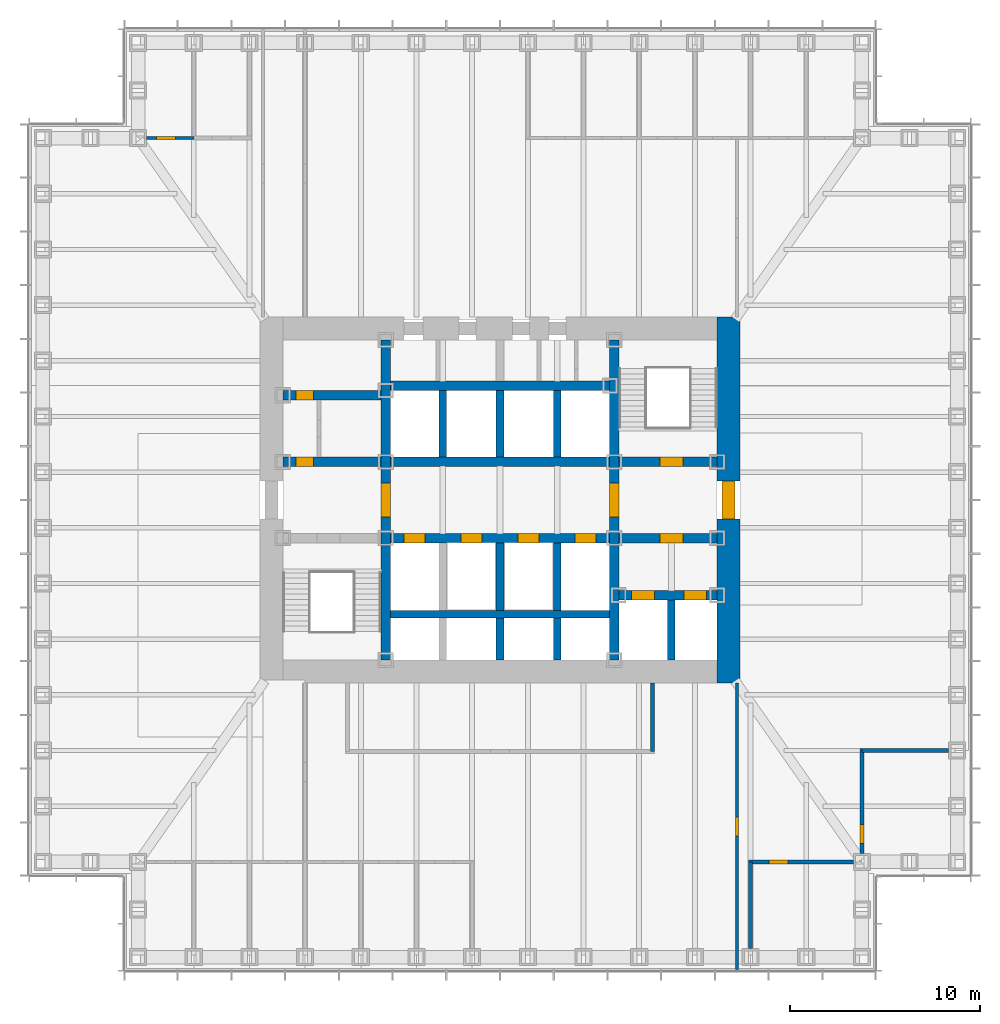
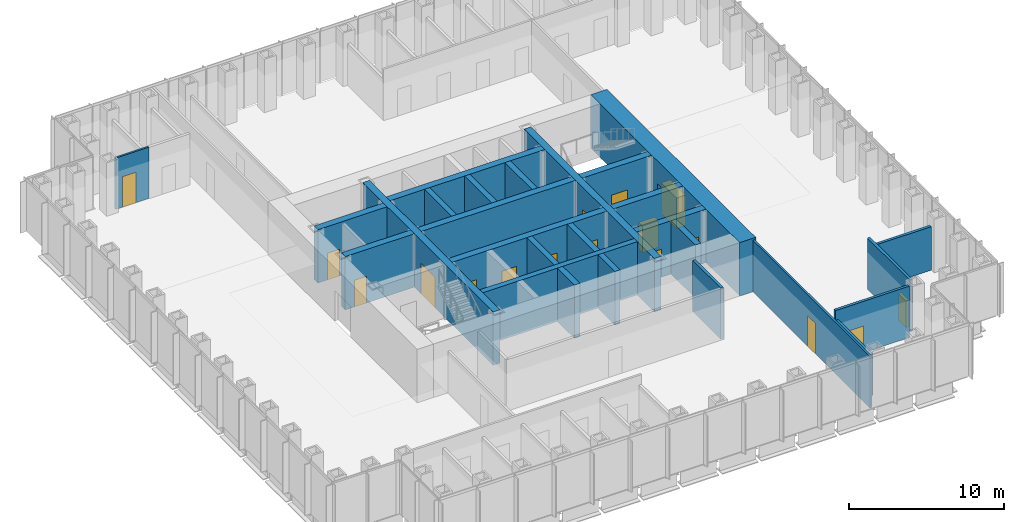
# One storey, part 9 of 16: 27 walls, 17 doors, 17 openings.
"""IFC4 building model written with IfcOpenShell, lengths in metres."""

from ifc_helpers import new_model, si_unit, direction, frame, frame_2d, origin, place, context, subcontext, project, spatial, rectangle, extrude, material, layer, layer_set, type_object, element, fill, save


model = new_model("IFC4")

# Units and contexts
model_context = context("Model", 3, precision=1e-05, world=origin(), true_north=direction((0.0, 1.0)))
body_context = subcontext(model_context, "Body", "Model", "MODEL_VIEW")
ifc_project = project(units=[si_unit("LENGTHUNIT", "METRE"), si_unit("AREAUNIT", "SQUARE_METRE"), si_unit("VOLUMEUNIT", "CUBIC_METRE"), si_unit("PLANEANGLEUNIT", "RADIAN"), si_unit("MASSUNIT", "GRAM", prefix="KILO")], contexts=[model_context])

# Site, building, storey
site_placement = place(None, origin())
site = spatial("IfcSite", under=ifc_project, at=site_placement, CompositionType="ELEMENT")
building_placement = place(site_placement, origin())
building = spatial("IfcBuilding", under=site, at=building_placement, Name="Daluyong Arena Tower", CompositionType="ELEMENT")
storey_placement = place(building_placement, frame((0.0, 0.0, 93.699951171875)))
storey = spatial("IfcBuildingStorey", under=building, at=storey_placement, Name="L20", CompositionType="ELEMENT", Elevation=93.699951171875)

# Wall, opening, door
ifc_material_1 = material(Name="Concrete fc' 45 MPa", Category="concrete")
ifc_layer_1 = layer(ifc_material_1, 0.5)
ifc_layer_set_1 = layer_set([ifc_layer_1], Name="Concrete fc' 45 MPa")
wall_type_1 = type_object("IfcWallType", Name="Core inner wall 500", PredefinedType="SHEAR", material=ifc_layer_set_1)
wall_1_placement = place(storey_placement, frame((50.0, 71.60009765625, 0.0), z_axis=(0.0, 0.0, 1.0), x_axis=(0.0, 1.0, 0.0)))
wall_1 = element("IfcWall", 1, at=wall_1_placement, inside=storey, type_object=wall_type_1, Name="core inner wall at L20", PredefinedType="SHEAR", context=body_context, shape_type="SweptSolid", body=[
    extrude(rectangle(XDim=16.7998046875, YDim=0.5, at=frame_2d((8.39990234375, 0.0))), origin(), (0.0, 0.0, 1.0), 4.199951171875),
])
opening_1_placement = place(wall_1_placement, frame((7.5, 0.0, 0.0)))
opening_1 = element("IfcOpeningElement", 2, at=opening_1_placement, cuts=wall_1, Name="Opening 20013", PredefinedType="OPENING", context=body_context, shape_type="SweptSolid", body=[
    extrude(rectangle(XDim=1.800048828125, YDim=2.39990234375, at=frame_2d((0.89990234375, 1.199951171875))), frame((0.0, 0.260009765625, 0.0), z_axis=(0.0, -1.0, 0.0), x_axis=(1.0, 0.0, 0.0)), (0.0, 0.0, 1.0), 0.52001953125),
])
ifc_material_2 = material(Name="Steel door, fire rated", Category="steel")
door_type_1 = type_object("IfcDoorType", Name="Lift lobby opening door 1800", OperationType="DOUBLE_DOOR_SINGLE_SWING", PredefinedType="DOOR", material=ifc_material_2)
door_1_placement = place(opening_1_placement, origin())
door_1 = element("IfcDoor", 3, at=door_1_placement, inside=storey, type_object=door_type_1, Name="lift lobby door west 20013", OperationType="DOUBLE_DOOR_SINGLE_SWING", OverallHeight=2.39990234375, OverallWidth=1.800048828125, PredefinedType="DOOR", context=body_context, shape_type="SweptSolid", body=[
    extrude(rectangle(XDim=1.800048828125, YDim=2.39990234375, at=frame_2d((0.89990234375, 1.199951171875))), frame((0.0, 0.249755859375, 0.0), z_axis=(0.0, -1.0, 0.0), x_axis=(1.0, 0.0, 0.0)), (0.0, 0.0, 1.0), 0.49951171875),
])
fill(opening_1, door_1)

wall_2_placement = place(storey_placement, frame((62.0, 71.60009765625, 0.0), z_axis=(0.0, 0.0, 1.0), x_axis=(0.0, 1.0, 0.0)))
wall_2 = element("IfcWall", 4, at=wall_2_placement, inside=storey, type_object=wall_type_1, Name="core inner wall at L20", PredefinedType="SHEAR", context=body_context, shape_type="SweptSolid", body=[
    extrude(rectangle(XDim=16.7998046875, YDim=0.5, at=frame_2d((8.39990234375, 0.0))), origin(), (0.0, 0.0, 1.0), 4.199951171875),
])
opening_2_placement = place(wall_2_placement, frame((7.5, 0.0, 0.0)))
opening_2 = element("IfcOpeningElement", 5, at=opening_2_placement, cuts=wall_2, Name="Opening 20014", PredefinedType="OPENING", context=body_context, shape_type="SweptSolid", body=[
    extrude(rectangle(XDim=1.800048828125, YDim=2.39990234375, at=frame_2d((0.89990234375, 1.199951171875))), frame((0.0, 0.260009765625, 0.0), z_axis=(0.0, -1.0, 0.0), x_axis=(1.0, 0.0, 0.0)), (0.0, 0.0, 1.0), 0.52001953125),
])
door_2_placement = place(opening_2_placement, origin())
door_2 = element("IfcDoor", 6, at=door_2_placement, inside=storey, type_object=door_type_1, Name="lift lobby door east 20014", OperationType="DOUBLE_DOOR_SINGLE_SWING", OverallHeight=2.39990234375, OverallWidth=1.800048828125, PredefinedType="DOOR", context=body_context, shape_type="SweptSolid", body=[
    extrude(rectangle(XDim=1.800048828125, YDim=2.39990234375, at=frame_2d((0.89990234375, 1.199951171875))), frame((0.0, 0.249755859375, 0.0), z_axis=(0.0, -1.0, 0.0), x_axis=(1.0, 0.0, 0.0)), (0.0, 0.0, 1.0), 0.49951171875),
])
fill(opening_2, door_2)

wall_3_placement = place(storey_placement, frame((44.60009765625, 82.0, 0.0), z_axis=(0.0, 0.0, 1.0), x_axis=(1.0, 0.0, 0.0)))
wall_3 = element("IfcWall", 7, at=wall_3_placement, inside=storey, type_object=wall_type_1, Name="core inner wall at L20", PredefinedType="SHEAR", context=body_context, shape_type="SweptSolid", body=[
    extrude(rectangle(XDim=5.14990234375, YDim=0.5, at=frame_2d((2.574951171875, 0.0))), origin(), (0.0, 0.0, 1.0), 4.199951171875),
])
opening_3_placement = place(wall_3_placement, frame((0.699951171875, 0.0, 0.0)))
opening_3 = element("IfcOpeningElement", 8, at=opening_3_placement, cuts=wall_3, Name="Opening 20001", PredefinedType="OPENING", context=body_context, shape_type="SweptSolid", body=[
    extrude(rectangle(XDim=0.89990234375, YDim=2.10009765625, at=frame_2d((0.449951171875, 1.050048828125))), frame((0.0, 0.260009765625, 0.0), z_axis=(0.0, -1.0, 0.0), x_axis=(1.0, 0.0, 0.0)), (0.0, 0.0, 1.0), 0.52001953125),
])
ifc_material_3 = material(Name="Steel door, fire rated", Category="steel")
door_type_2 = type_object("IfcDoorType", Name="Core room door 900", OperationType="SINGLE_SWING_LEFT", PredefinedType="DOOR", material=ifc_material_3)
door_3_placement = place(opening_3_placement, origin())
door_3 = element("IfcDoor", 9, at=door_3_placement, inside=storey, type_object=door_type_2, Name="toilet lobby door 20001", OperationType="SINGLE_SWING_LEFT", OverallHeight=2.10009765625, OverallWidth=0.89990234375, PredefinedType="DOOR", context=body_context, shape_type="SweptSolid", body=[
    extrude(rectangle(XDim=0.89990234375, YDim=2.10009765625, at=frame_2d((0.449951171875, 1.050048828125))), frame((0.0, 0.249755859375, 0.0), z_axis=(0.0, -1.0, 0.0), x_axis=(1.0, 0.0, 0.0)), (0.0, 0.0, 1.0), 0.49951171875),
])
fill(opening_3, door_3)

wall_4_placement = place(storey_placement, frame((44.60009765625, 85.5, 0.0), z_axis=(0.0, 0.0, 1.0), x_axis=(1.0, 0.0, 0.0)))
wall_4 = element("IfcWall", 10, at=wall_4_placement, inside=storey, type_object=wall_type_1, Name="core inner wall at L20", PredefinedType="SHEAR", context=body_context, shape_type="SweptSolid", body=[
    extrude(rectangle(XDim=5.14990234375, YDim=0.5, at=frame_2d((2.574951171875, 0.0))), origin(), (0.0, 0.0, 1.0), 4.199951171875),
])
opening_4_placement = place(wall_4_placement, frame((0.699951171875, 0.0, 0.0)))
opening_4 = element("IfcOpeningElement", 11, at=opening_4_placement, cuts=wall_4, Name="Opening 20003", PredefinedType="OPENING", context=body_context, shape_type="SweptSolid", body=[
    extrude(rectangle(XDim=0.89990234375, YDim=2.10009765625, at=frame_2d((0.449951171875, 1.050048828125))), frame((0.0, 0.260009765625, 0.0), z_axis=(0.0, -1.0, 0.0), x_axis=(1.0, 0.0, 0.0)), (0.0, 0.0, 1.0), 0.52001953125),
])
ifc_material_4 = material(Name="Timber door", Category="wood")
door_type_3 = type_object("IfcDoorType", Name="Toilet door 900", OperationType="SINGLE_SWING_RIGHT", PredefinedType="DOOR", material=ifc_material_4)
door_4_placement = place(opening_4_placement, origin())
door_4 = element("IfcDoor", 12, at=door_4_placement, inside=storey, type_object=door_type_3, Name="female toilet door 20003", OperationType="SINGLE_SWING_RIGHT", OverallHeight=2.10009765625, OverallWidth=0.89990234375, PredefinedType="DOOR", context=body_context, shape_type="SweptSolid", body=[
    extrude(rectangle(XDim=0.89990234375, YDim=2.10009765625, at=frame_2d((0.449951171875, 1.050048828125))), frame((0.0, 0.249755859375, 0.0), z_axis=(0.0, -1.0, 0.0), x_axis=(1.0, 0.0, 0.0)), (0.0, 0.0, 1.0), 0.49951171875),
])
fill(opening_4, door_4)

# Wall, openings, doors
wall_5_placement = place(storey_placement, frame((62.25, 75.0, 0.0), z_axis=(0.0, 0.0, 1.0), x_axis=(1.0, 0.0, 0.0)))
wall_5 = element("IfcWall", 13, at=wall_5_placement, inside=storey, type_object=wall_type_1, Name="core inner wall at L20", PredefinedType="SHEAR", context=body_context, shape_type="SweptSolid", body=[
    extrude(rectangle(XDim=5.14990234375, YDim=0.5, at=frame_2d((2.574951171875, 0.0))), origin(), (0.0, 0.0, 1.0), 4.199951171875),
])
opening_5_placement = place(wall_5_placement, frame((0.64990234375, 0.0, 0.0)))
opening_5 = element("IfcOpeningElement", 14, at=opening_5_placement, cuts=wall_5, Name="Opening 20020", PredefinedType="OPENING", context=body_context, shape_type="SweptSolid", body=[
    extrude(rectangle(XDim=1.199951171875, YDim=2.199951171875, at=frame_2d((0.60009765625, 1.10009765625))), frame((0.0, 0.260009765625, 0.0), z_axis=(0.0, -1.0, 0.0), x_axis=(1.0, 0.0, 0.0)), (0.0, 0.0, 1.0), 0.52001953125),
])
opening_6_placement = place(wall_5_placement, frame((3.39990234375, 0.0, 0.0)))
opening_6 = element("IfcOpeningElement", 15, at=opening_6_placement, cuts=wall_5, Name="Opening 20021", PredefinedType="OPENING", context=body_context, shape_type="SweptSolid", body=[
    extrude(rectangle(XDim=1.199951171875, YDim=2.199951171875, at=frame_2d((0.60009765625, 1.10009765625))), frame((0.0, 0.260009765625, 0.0), z_axis=(0.0, -1.0, 0.0), x_axis=(1.0, 0.0, 0.0)), (0.0, 0.0, 1.0), 0.52001953125),
])
ifc_material_5 = material(Name="Steel door, fire rated", Category="steel")
door_type_4 = type_object("IfcDoorType", Name="Firefighting lift landing door 1200", OperationType="SLIDING_TO_LEFT", PredefinedType="DOOR", material=ifc_material_5)
door_5_placement = place(opening_5_placement, origin())
door_5 = element("IfcDoor", 16, at=door_5_placement, inside=storey, type_object=door_type_4, Name="firefighting lift landing door F1 20020", OperationType="SLIDING_TO_LEFT", OverallHeight=2.199951171875, OverallWidth=1.199951171875, PredefinedType="DOOR", context=body_context, shape_type="SweptSolid", body=[
    extrude(rectangle(XDim=1.199951171875, YDim=2.199951171875, at=frame_2d((0.60009765625, 1.10009765625))), frame((0.0, 0.249755859375, 0.0), z_axis=(0.0, -1.0, 0.0), x_axis=(1.0, 0.0, 0.0)), (0.0, 0.0, 1.0), 0.49951171875),
])
fill(opening_5, door_5)
door_6_placement = place(opening_6_placement, origin())
door_6 = element("IfcDoor", 17, at=door_6_placement, inside=storey, type_object=door_type_4, Name="firefighting lift landing door F2 20021", OperationType="SLIDING_TO_LEFT", OverallHeight=2.199951171875, OverallWidth=1.199951171875, PredefinedType="DOOR", context=body_context, shape_type="SweptSolid", body=[
    extrude(rectangle(XDim=1.199951171875, YDim=2.199951171875, at=frame_2d((0.60009765625, 1.10009765625))), frame((0.0, 0.249755859375, 0.0), z_axis=(0.0, -1.0, 0.0), x_axis=(1.0, 0.0, 0.0)), (0.0, 0.0, 1.0), 0.49951171875),
])
fill(opening_6, door_6)

# Wall, opening, door
wall_6_placement = place(storey_placement, frame((62.25, 78.0, 0.0), z_axis=(0.0, 0.0, 1.0), x_axis=(1.0, 0.0, 0.0)))
wall_6 = element("IfcWall", 18, at=wall_6_placement, inside=storey, type_object=wall_type_1, Name="core inner wall at L20", PredefinedType="SHEAR", context=body_context, shape_type="SweptSolid", body=[
    extrude(rectangle(XDim=5.14990234375, YDim=0.5, at=frame_2d((2.574951171875, 0.0))), origin(), (0.0, 0.0, 1.0), 4.199951171875),
])
opening_7_placement = place(wall_6_placement, frame((2.14990234375, 0.0, 0.0)))
opening_7 = element("IfcOpeningElement", 19, at=opening_7_placement, cuts=wall_6, Name="Opening 20015", PredefinedType="OPENING", context=body_context, shape_type="SweptSolid", body=[
    extrude(rectangle(XDim=1.199951171875, YDim=2.10009765625, at=frame_2d((0.60009765625, 1.050048828125))), frame((0.0, 0.260009765625, 0.0), z_axis=(0.0, -1.0, 0.0), x_axis=(1.0, 0.0, 0.0)), (0.0, 0.0, 1.0), 0.52001953125),
])
ifc_material_6 = material(Name="Steel door, fire rated", Category="steel")
door_type_5 = type_object("IfcDoorType", Name="Firefighting lobby door 1200", OperationType="SINGLE_SWING_RIGHT", PredefinedType="DOOR", material=ifc_material_6)
door_7_placement = place(opening_7_placement, origin())
door_7 = element("IfcDoor", 20, at=door_7_placement, inside=storey, type_object=door_type_5, Name="firefighting lobby door 20015", OperationType="SINGLE_SWING_RIGHT", OverallHeight=2.10009765625, OverallWidth=1.199951171875, PredefinedType="DOOR", context=body_context, shape_type="SweptSolid", body=[
    extrude(rectangle(XDim=1.199951171875, YDim=2.10009765625, at=frame_2d((0.60009765625, 1.050048828125))), frame((0.0, 0.249755859375, 0.0), z_axis=(0.0, -1.0, 0.0), x_axis=(1.0, 0.0, 0.0)), (0.0, 0.0, 1.0), 0.49951171875),
])
fill(opening_7, door_7)

wall_7_placement = place(storey_placement, frame((62.25, 82.0, 0.0), z_axis=(0.0, 0.0, 1.0), x_axis=(1.0, 0.0, 0.0)))
wall_7 = element("IfcWall", 21, at=wall_7_placement, inside=storey, type_object=wall_type_1, Name="core inner wall at L20", PredefinedType="SHEAR", context=body_context, shape_type="SweptSolid", body=[
    extrude(rectangle(XDim=5.14990234375, YDim=0.5, at=frame_2d((2.574951171875, 0.0))), origin(), (0.0, 0.0, 1.0), 4.199951171875),
])
opening_8_placement = place(wall_7_placement, frame((2.14990234375, 0.0, 0.0)))
opening_8 = element("IfcOpeningElement", 22, at=opening_8_placement, cuts=wall_7, Name="Opening 20010", PredefinedType="OPENING", context=body_context, shape_type="SweptSolid", body=[
    extrude(rectangle(XDim=1.199951171875, YDim=2.10009765625, at=frame_2d((0.60009765625, 1.050048828125))), frame((0.0, 0.260009765625, 0.0), z_axis=(0.0, -1.0, 0.0), x_axis=(1.0, 0.0, 0.0)), (0.0, 0.0, 1.0), 0.52001953125),
])
ifc_material_7 = material(Name="Steel door, fire rated", Category="steel")
door_type_6 = type_object("IfcDoorType", Name="Stair door 1200", OperationType="SINGLE_SWING_LEFT", PredefinedType="DOOR", material=ifc_material_7)
door_8_placement = place(opening_8_placement, origin())
door_8 = element("IfcDoor", 23, at=door_8_placement, inside=storey, type_object=door_type_6, Name="stair B door 20010", OperationType="SINGLE_SWING_LEFT", OverallHeight=2.10009765625, OverallWidth=1.199951171875, PredefinedType="DOOR", context=body_context, shape_type="SweptSolid", body=[
    extrude(rectangle(XDim=1.199951171875, YDim=2.10009765625, at=frame_2d((0.60009765625, 1.050048828125))), frame((0.0, 0.249755859375, 0.0), z_axis=(0.0, -1.0, 0.0), x_axis=(1.0, 0.0, 0.0)), (0.0, 0.0, 1.0), 0.49951171875),
])
fill(opening_8, door_8)

# Wall, openings, doors
wall_8_placement = place(storey_placement, frame((50.25, 78.0, 0.0), z_axis=(0.0, 0.0, 1.0), x_axis=(1.0, 0.0, 0.0)))
wall_8 = element("IfcWall", 24, at=wall_8_placement, inside=storey, type_object=wall_type_1, Name="core inner wall at L20", PredefinedType="SHEAR", context=body_context, shape_type="SweptSolid", body=[
    extrude(rectangle(XDim=11.5, YDim=0.5, at=frame_2d((5.75, 0.0))), origin(), (0.0, 0.0, 1.0), 4.199951171875),
])
opening_9_placement = place(wall_8_placement, frame((0.699951171875, 0.0, 0.0)))
opening_9 = element("IfcOpeningElement", 25, at=opening_9_placement, cuts=wall_8, Name="Opening 20016", PredefinedType="OPENING", context=body_context, shape_type="SweptSolid", body=[
    extrude(rectangle(XDim=1.10009765625, YDim=2.199951171875, at=frame_2d((0.550048828125, 1.10009765625))), frame((0.0, 0.260009765625, 0.0), z_axis=(0.0, -1.0, 0.0), x_axis=(1.0, 0.0, 0.0)), (0.0, 0.0, 1.0), 0.52001953125),
])
opening_10_placement = place(wall_8_placement, frame((3.699951171875, 0.0, 0.0)))
opening_10 = element("IfcOpeningElement", 26, at=opening_10_placement, cuts=wall_8, Name="Opening 20017", PredefinedType="OPENING", context=body_context, shape_type="SweptSolid", body=[
    extrude(rectangle(XDim=1.10009765625, YDim=2.199951171875, at=frame_2d((0.550048828125, 1.10009765625))), frame((0.0, 0.260009765625, 0.0), z_axis=(0.0, -1.0, 0.0), x_axis=(1.0, 0.0, 0.0)), (0.0, 0.0, 1.0), 0.52001953125),
])
opening_11_placement = place(wall_8_placement, frame((6.699951171875, 0.0, 0.0)))
opening_11 = element("IfcOpeningElement", 27, at=opening_11_placement, cuts=wall_8, Name="Opening 20018", PredefinedType="OPENING", context=body_context, shape_type="SweptSolid", body=[
    extrude(rectangle(XDim=1.10009765625, YDim=2.199951171875, at=frame_2d((0.550048828125, 1.10009765625))), frame((0.0, 0.260009765625, 0.0), z_axis=(0.0, -1.0, 0.0), x_axis=(1.0, 0.0, 0.0)), (0.0, 0.0, 1.0), 0.52001953125),
])
opening_12_placement = place(wall_8_placement, frame((9.699951171875, 0.0, 0.0)))
opening_12 = element("IfcOpeningElement", 28, at=opening_12_placement, cuts=wall_8, Name="Opening 20019", PredefinedType="OPENING", context=body_context, shape_type="SweptSolid", body=[
    extrude(rectangle(XDim=1.10009765625, YDim=2.199951171875, at=frame_2d((0.550048828125, 1.10009765625))), frame((0.0, 0.260009765625, 0.0), z_axis=(0.0, -1.0, 0.0), x_axis=(1.0, 0.0, 0.0)), (0.0, 0.0, 1.0), 0.52001953125),
])
ifc_material_8 = material(Name="Steel door, fire rated", Category="steel")
door_type_7 = type_object("IfcDoorType", Name="Lift landing door 1100", OperationType="SLIDING_TO_LEFT", PredefinedType="DOOR", material=ifc_material_8)
door_9_placement = place(opening_9_placement, origin())
door_9 = element("IfcDoor", 29, at=door_9_placement, inside=storey, type_object=door_type_7, Name="lift landing door A1 20016", OperationType="SLIDING_TO_LEFT", OverallHeight=2.199951171875, OverallWidth=1.10009765625, PredefinedType="DOOR", context=body_context, shape_type="SweptSolid", body=[
    extrude(rectangle(XDim=1.10009765625, YDim=2.199951171875, at=frame_2d((0.550048828125, 1.10009765625))), frame((0.0, 0.249755859375, 0.0), z_axis=(0.0, -1.0, 0.0), x_axis=(1.0, 0.0, 0.0)), (0.0, 0.0, 1.0), 0.49951171875),
])
fill(opening_9, door_9)
door_10_placement = place(opening_10_placement, origin())
door_10 = element("IfcDoor", 30, at=door_10_placement, inside=storey, type_object=door_type_7, Name="lift landing door A2 20017", OperationType="SLIDING_TO_LEFT", OverallHeight=2.199951171875, OverallWidth=1.10009765625, PredefinedType="DOOR", context=body_context, shape_type="SweptSolid", body=[
    extrude(rectangle(XDim=1.10009765625, YDim=2.199951171875, at=frame_2d((0.550048828125, 1.10009765625))), frame((0.0, 0.249755859375, 0.0), z_axis=(0.0, -1.0, 0.0), x_axis=(1.0, 0.0, 0.0)), (0.0, 0.0, 1.0), 0.49951171875),
])
fill(opening_10, door_10)
door_11_placement = place(opening_11_placement, origin())
door_11 = element("IfcDoor", 31, at=door_11_placement, inside=storey, type_object=door_type_7, Name="lift landing door A3 20018", OperationType="SLIDING_TO_LEFT", OverallHeight=2.199951171875, OverallWidth=1.10009765625, PredefinedType="DOOR", context=body_context, shape_type="SweptSolid", body=[
    extrude(rectangle(XDim=1.10009765625, YDim=2.199951171875, at=frame_2d((0.550048828125, 1.10009765625))), frame((0.0, 0.249755859375, 0.0), z_axis=(0.0, -1.0, 0.0), x_axis=(1.0, 0.0, 0.0)), (0.0, 0.0, 1.0), 0.49951171875),
])
fill(opening_11, door_11)
door_12_placement = place(opening_12_placement, origin())
door_12 = element("IfcDoor", 32, at=door_12_placement, inside=storey, type_object=door_type_7, Name="lift landing door A4 20019", OperationType="SLIDING_TO_LEFT", OverallHeight=2.199951171875, OverallWidth=1.10009765625, PredefinedType="DOOR", context=body_context, shape_type="SweptSolid", body=[
    extrude(rectangle(XDim=1.10009765625, YDim=2.199951171875, at=frame_2d((0.550048828125, 1.10009765625))), frame((0.0, 0.249755859375, 0.0), z_axis=(0.0, -1.0, 0.0), x_axis=(1.0, 0.0, 0.0)), (0.0, 0.0, 1.0), 0.49951171875),
])
fill(opening_12, door_12)

# Walls
for number, where, z_axis, x_axis, name in (
    (33, (50.25, 82.0, 0.0), (0.0, 0.0, 1.0), (1.0, 0.0, 0.0), "core inner wall at L20"),
    (34, (50.25, 86.0, 0.0), (0.0, 0.0, 1.0), (1.0, 0.0, 0.0), "core inner wall at L20"),
):
    element("IfcWall", number, at=place(storey_placement, frame(where, z_axis=z_axis, x_axis=x_axis)), inside=storey, type_object=wall_type_1, Name=name, PredefinedType="SHEAR", context=body_context, shape_type="SweptSolid", body=[
        extrude(rectangle(XDim=11.5, YDim=0.5, at=frame_2d((5.75, 0.0))), origin(), (0.0, 0.0, 1.0), 4.199951171875),
    ])

# Wall, opening, door
ifc_material_9 = material(Name="Concrete fc' 60 MPa", Category="concrete")
ifc_layer_2 = layer(ifc_material_9, 1.199951171875)
ifc_layer_set_2 = layer_set([ifc_layer_2], Name="Concrete fc' 60 MPa")
wall_type_2 = type_object("IfcWallType", Name="Core wall 1200", PredefinedType="SHEAR", material=ifc_layer_set_2)
wall_9_placement = place(storey_placement, frame((68.0, 70.39990234375, 0.0), z_axis=(0.0, 0.0, 1.0), x_axis=(0.0, 1.0, 0.0)))
wall_9 = element("IfcWall", 35, at=wall_9_placement, inside=storey, type_object=wall_type_2, Name="core wall at L20", PredefinedType="SHEAR", context=body_context, shape_type="SweptSolid", body=[
    extrude(rectangle(XDim=19.2001953125, YDim=1.199951171875, at=frame_2d((9.60009765625, 0.0))), origin(), (0.0, 0.0, 1.0), 4.199951171875),
])
opening_13_placement = place(wall_9_placement, frame((8.60009765625, 0.0, 0.0)))
opening_13 = element("IfcOpeningElement", 36, at=opening_13_placement, cuts=wall_9, Name="Opening 20012", PredefinedType="OPENING", context=body_context, shape_type="SweptSolid", body=[
    extrude(rectangle(XDim=2.0, YDim=2.39990234375, at=frame_2d((1.0, 1.199951171875))), frame((0.0, 0.60986328125, 0.0), z_axis=(0.0, -1.0, 0.0), x_axis=(1.0, 0.0, 0.0)), (0.0, 0.0, 1.0), 1.219970703125),
])
ifc_material_10 = material(Name="Steel door, fire rated", Category="steel")
door_type_8 = type_object("IfcDoorType", Name="Core lobby double door 2000", OperationType="DOUBLE_DOOR_SINGLE_SWING", PredefinedType="DOOR", material=ifc_material_10)
door_13_placement = place(opening_13_placement, origin())
door_13 = element("IfcDoor", 37, at=door_13_placement, inside=storey, type_object=door_type_8, Name="core lobby door east 20012", OperationType="DOUBLE_DOOR_SINGLE_SWING", OverallHeight=2.39990234375, OverallWidth=2.0, PredefinedType="DOOR", context=body_context, shape_type="SweptSolid", body=[
    extrude(rectangle(XDim=2.0, YDim=2.39990234375, at=frame_2d((1.0, 1.199951171875))), frame((0.0, 0.35009765625, 0.0), z_axis=(0.0, -1.0, 0.0), x_axis=(1.0, 0.0, 0.0)), (0.0, 0.0, 1.0), 0.699951171875),
])
fill(opening_13, door_13)

ifc_material_11 = material(Name="Glazed aluminium partition", Category="aluminium")
ifc_layer_3 = layer(ifc_material_11, 0.14990234375)
ifc_layer_set_3 = layer_set([ifc_layer_3], Name="Glazed aluminium partition")
wall_type_3 = type_object("IfcWallType", Name="Glazed partition 150", PredefinedType="PARTITIONING", material=ifc_layer_set_3)
wall_10_placement = place(storey_placement, frame((37.449951171875, 99.0, 0.0), z_axis=(0.0, 0.0, 1.0), x_axis=(1.0, 0.0, 0.0)))
wall_10 = element("IfcWall", 38, at=wall_10_placement, inside=storey, type_object=wall_type_3, Name="glazed partition at L20", PredefinedType="PARTITIONING", context=body_context, shape_type="SweptSolid", body=[
    extrude(rectangle(XDim=2.47314453125, YDim=0.14990234375, at=frame_2d((1.236572265625, 0.0))), origin(), (0.0, 0.0, 1.0), 4.0400390625),
])
opening_14_placement = place(wall_10_placement, frame((0.511474609375, 0.0, 0.0)))
opening_14 = element("IfcOpeningElement", 39, at=opening_14_placement, cuts=wall_10, Name="Opening 20030", PredefinedType="OPENING", context=body_context, shape_type="SweptSolid", body=[
    extrude(rectangle(XDim=1.0, YDim=2.39990234375, at=frame_2d((0.5, 1.199951171875))), frame((0.0, 0.0849609375, 0.0), z_axis=(0.0, -1.0, 0.0), x_axis=(1.0, 0.0, 0.0)), (0.0, 0.0, 1.0), 0.169921875),
])
ifc_material_12 = material(Name="Glazed aluminium door", Category="aluminium")
door_type_9 = type_object("IfcDoorType", Name="Meeting room glazed door 1000", OperationType="SINGLE_SWING_RIGHT", PredefinedType="DOOR", material=ifc_material_12)
door_14_placement = place(opening_14_placement, origin())
door_14 = element("IfcDoor", 40, at=door_14_placement, inside=storey, type_object=door_type_9, Name="meeting room door 20030", OperationType="SINGLE_SWING_RIGHT", OverallHeight=2.39990234375, OverallWidth=1.0, PredefinedType="DOOR", context=body_context, shape_type="SweptSolid", body=[
    extrude(rectangle(XDim=1.0, YDim=2.39990234375, at=frame_2d((0.5, 1.199951171875))), frame((0.0, 0.07470703125, 0.0), z_axis=(0.0, -1.0, 0.0), x_axis=(1.0, 0.0, 0.0)), (0.0, 0.0, 1.0), 0.1494140625),
])
fill(opening_14, door_14)

wall_11_placement = place(storey_placement, frame((68.449951171875, 55.31005859375, 0.0), z_axis=(0.0, 0.0, 1.0), x_axis=(0.0, 1.0, 0.0)))
wall_11 = element("IfcWall", 41, at=wall_11_placement, inside=storey, type_object=wall_type_3, Name="glazed partition at L20", PredefinedType="PARTITIONING", context=body_context, shape_type="SweptSolid", body=[
    extrude(rectangle(XDim=15.08984375, YDim=0.14990234375, at=frame_2d((7.544921875, 0.0))), origin(), (0.0, 0.0, 1.0), 4.0400390625),
])
opening_15_placement = place(wall_11_placement, frame((7.044921875, 0.0, 0.0)))
opening_15 = element("IfcOpeningElement", 42, at=opening_15_placement, cuts=wall_11, Name="Opening 20039", PredefinedType="OPENING", context=body_context, shape_type="SweptSolid", body=[
    extrude(rectangle(XDim=1.0, YDim=2.39990234375, at=frame_2d((0.5, 1.199951171875))), frame((0.0, 0.0849609375, 0.0), z_axis=(0.0, -1.0, 0.0), x_axis=(1.0, 0.0, 0.0)), (0.0, 0.0, 1.0), 0.169921875),
])
door_15_placement = place(opening_15_placement, origin())
door_15 = element("IfcDoor", 43, at=door_15_placement, inside=storey, type_object=door_type_9, Name="team area screen door 20039", OperationType="SINGLE_SWING_RIGHT", OverallHeight=2.39990234375, OverallWidth=1.0, PredefinedType="DOOR", context=body_context, shape_type="SweptSolid", body=[
    extrude(rectangle(XDim=1.0, YDim=2.39990234375, at=frame_2d((0.5, 1.199951171875))), frame((0.0, 0.07470703125, 0.0), z_axis=(0.0, -1.0, 0.0), x_axis=(1.0, 0.0, 0.0)), (0.0, 0.0, 1.0), 0.1494140625),
])
fill(opening_15, door_15)

# Walls
ifc_material_13 = material(Name="Concrete fc' 45 MPa", Category="concrete")
ifc_layer_4 = layer(ifc_material_13, 0.39990234375)
ifc_layer_set_4 = layer_set([ifc_layer_4], Name="Concrete fc' 45 MPa")
wall_type_4 = type_object("IfcWallType", Name="Lift shaft wall 400", PredefinedType="SHEAR", material=ifc_layer_set_4)
wall_12_placement = place(storey_placement, frame((50.25, 74.0, 0.0), z_axis=(0.0, 0.0, 1.0), x_axis=(1.0, 0.0, 0.0)))
element("IfcWall", 44, at=wall_12_placement, inside=storey, type_object=wall_type_4, Name="lift shaft wall at L20", PredefinedType="SHEAR", context=body_context, shape_type="SweptSolid", body=[
    extrude(rectangle(XDim=11.5, YDim=0.39990234375, at=frame_2d((5.75, 0.0))), origin(), (0.0, 0.0, 1.0), 4.199951171875),
])
wall_13_placement = place(storey_placement, frame((53.0, 82.25, 0.0), z_axis=(0.0, 0.0, 1.0), x_axis=(0.0, 1.0, 0.0)))
element("IfcWall", 45, at=wall_13_placement, inside=storey, type_object=wall_type_4, Name="lift shaft wall at L20", PredefinedType="SHEAR", context=body_context, shape_type="SweptSolid", body=[
    extrude(rectangle(XDim=3.5, YDim=0.39990234375, at=frame_2d((1.75, 0.0))), origin(), (0.0, 0.0, 1.0), 4.199951171875),
])
wall_14_placement = place(storey_placement, frame((56.0, 71.60009765625, 0.0), z_axis=(0.0, 0.0, 1.0), x_axis=(0.0, 1.0, 0.0)))
element("IfcWall", 46, at=wall_14_placement, inside=storey, type_object=wall_type_4, Name="lift shaft wall at L20", PredefinedType="SHEAR", context=body_context, shape_type="SweptSolid", body=[
    extrude(rectangle(XDim=2.199951171875, YDim=0.39990234375, at=frame_2d((1.10009765625, 0.0))), origin(), (0.0, 0.0, 1.0), 4.199951171875),
])
wall_15_placement = place(storey_placement, frame((56.0, 74.199951171875, 0.0), z_axis=(0.0, 0.0, 1.0), x_axis=(0.0, 1.0, 0.0)))
element("IfcWall", 47, at=wall_15_placement, inside=storey, type_object=wall_type_4, Name="lift shaft wall at L20", PredefinedType="SHEAR", context=body_context, shape_type="SweptSolid", body=[
    extrude(rectangle(XDim=3.550048828125, YDim=0.39990234375, at=frame_2d((1.77490234375, 0.0))), origin(), (0.0, 0.0, 1.0), 4.199951171875),
])
wall_16_placement = place(storey_placement, frame((56.0, 82.25, 0.0), z_axis=(0.0, 0.0, 1.0), x_axis=(0.0, 1.0, 0.0)))
element("IfcWall", 48, at=wall_16_placement, inside=storey, type_object=wall_type_4, Name="lift shaft wall at L20", PredefinedType="SHEAR", context=body_context, shape_type="SweptSolid", body=[
    extrude(rectangle(XDim=3.5, YDim=0.39990234375, at=frame_2d((1.75, 0.0))), origin(), (0.0, 0.0, 1.0), 4.199951171875),
])
wall_17_placement = place(storey_placement, frame((59.0, 71.60009765625, 0.0), z_axis=(0.0, 0.0, 1.0), x_axis=(0.0, 1.0, 0.0)))
element("IfcWall", 49, at=wall_17_placement, inside=storey, type_object=wall_type_4, Name="lift shaft wall at L20", PredefinedType="SHEAR", context=body_context, shape_type="SweptSolid", body=[
    extrude(rectangle(XDim=2.199951171875, YDim=0.39990234375, at=frame_2d((1.10009765625, 0.0))), origin(), (0.0, 0.0, 1.0), 4.199951171875),
])
wall_18_placement = place(storey_placement, frame((59.0, 74.199951171875, 0.0), z_axis=(0.0, 0.0, 1.0), x_axis=(0.0, 1.0, 0.0)))
element("IfcWall", 50, at=wall_18_placement, inside=storey, type_object=wall_type_4, Name="lift shaft wall at L20", PredefinedType="SHEAR", context=body_context, shape_type="SweptSolid", body=[
    extrude(rectangle(XDim=3.550048828125, YDim=0.39990234375, at=frame_2d((1.77490234375, 0.0))), origin(), (0.0, 0.0, 1.0), 4.199951171875),
])
wall_19_placement = place(storey_placement, frame((59.0, 82.25, 0.0), z_axis=(0.0, 0.0, 1.0), x_axis=(0.0, 1.0, 0.0)))
element("IfcWall", 51, at=wall_19_placement, inside=storey, type_object=wall_type_4, Name="lift shaft wall at L20", PredefinedType="SHEAR", context=body_context, shape_type="SweptSolid", body=[
    extrude(rectangle(XDim=3.5, YDim=0.39990234375, at=frame_2d((1.75, 0.0))), origin(), (0.0, 0.0, 1.0), 4.199951171875),
])
wall_20_placement = place(storey_placement, frame((65.0, 71.60009765625, 0.0), z_axis=(0.0, 0.0, 1.0), x_axis=(0.0, 1.0, 0.0)))
element("IfcWall", 52, at=wall_20_placement, inside=storey, type_object=wall_type_4, Name="lift shaft wall at L20", PredefinedType="SHEAR", context=body_context, shape_type="SweptSolid", body=[
    extrude(rectangle(XDim=3.14990234375, YDim=0.39990234375, at=frame_2d((1.574951171875, 0.0))), origin(), (0.0, 0.0, 1.0), 4.199951171875),
])
ifc_material_14 = material(Name="Concrete block partition", Category="concrete")
ifc_layer_5 = layer(ifc_material_14, 0.199951171875)
ifc_layer_set_5 = layer_set([ifc_layer_5], Name="Concrete block partition")
wall_type_5 = type_object("IfcWallType", Name="Partition 200", PredefinedType="PARTITIONING", material=ifc_layer_set_5)
wall_21_placement = place(storey_placement, frame((69.15380859375, 56.449951171875, 0.0), z_axis=(0.0, 0.0, 1.0), x_axis=(0.0, 1.0, 0.0)))
element("IfcWall", 53, at=wall_21_placement, inside=storey, type_object=wall_type_5, Name="partition at L20", PredefinedType="PARTITIONING", context=body_context, shape_type="SweptSolid", body=[
    extrude(rectangle(XDim=4.550048828125, YDim=0.199951171875, at=frame_2d((2.27490234375, 0.0))), origin(), (0.0, 0.0, 1.0), 3.278076171875),
])
wall_22_placement = place(storey_placement, frame((75.0, 66.84619140625, 0.0), z_axis=(0.0, 0.0, 1.0), x_axis=(1.0, 0.0, 0.0)))
element("IfcWall", 54, at=wall_22_placement, inside=storey, type_object=wall_type_5, Name="partition at L20", PredefinedType="PARTITIONING", context=body_context, shape_type="SweptSolid", body=[
    extrude(rectangle(XDim=4.550048828125, YDim=0.199951171875, at=frame_2d((2.27490234375, 0.0))), origin(), (0.0, 0.0, 1.0), 3.427978515625),
])
wall_23_placement = place(storey_placement, frame((64.0, 66.800048828125, 0.0), z_axis=(0.0, 0.0, 1.0), x_axis=(0.0, 1.0, 0.0)))
element("IfcWall", 55, at=wall_23_placement, inside=storey, type_object=wall_type_5, Name="partition at L20", PredefinedType="PARTITIONING", context=body_context, shape_type="SweptSolid", body=[
    extrude(rectangle(XDim=3.599853515625, YDim=0.199951171875, at=frame_2d((1.7998046875, 0.0))), origin(), (0.0, 0.0, 1.0), 4.0400390625),
])

# Wall, opening, door
wall_24_placement = place(storey_placement, frame((69.053955078125, 61.0, 0.0), z_axis=(0.0, 0.0, 1.0), x_axis=(1.0, 0.0, 0.0)))
wall_24 = element("IfcWall", 56, at=wall_24_placement, inside=storey, type_object=wall_type_5, Name="partition at L20", PredefinedType="PARTITIONING", context=body_context, shape_type="SweptSolid", body=[
    extrude(rectangle(XDim=5.49609375, YDim=0.199951171875, at=frame_2d((2.748046875, 0.0))), origin(), (0.0, 0.0, 1.0), 4.0400390625),
])
opening_16_placement = place(wall_24_placement, frame((1.0615234375, 0.0, 0.0)))
opening_16 = element("IfcOpeningElement", 57, at=opening_16_placement, cuts=wall_24, Name="Opening 20028", PredefinedType="OPENING", context=body_context, shape_type="SweptSolid", body=[
    extrude(rectangle(XDim=1.0, YDim=2.10009765625, at=frame_2d((0.5, 1.050048828125))), frame((0.0, 0.10986328125, 0.0), z_axis=(0.0, -1.0, 0.0), x_axis=(1.0, 0.0, 0.0)), (0.0, 0.0, 1.0), 0.219970703125),
])
ifc_material_15 = material(Name="Timber door", Category="wood")
door_type_10 = type_object("IfcDoorType", Name="Room door 1000", OperationType="SINGLE_SWING_LEFT", PredefinedType="DOOR", material=ifc_material_15)
door_16_placement = place(opening_16_placement, origin())
door_16 = element("IfcDoor", 58, at=door_16_placement, inside=storey, type_object=door_type_10, Name="wellness room door 20028", OperationType="SINGLE_SWING_LEFT", OverallHeight=2.10009765625, OverallWidth=1.0, PredefinedType="DOOR", context=body_context, shape_type="SweptSolid", body=[
    extrude(rectangle(XDim=1.0, YDim=2.10009765625, at=frame_2d((0.5, 1.050048828125))), frame((0.0, 0.099609375, 0.0), z_axis=(0.0, -1.0, 0.0), x_axis=(1.0, 0.0, 0.0)), (0.0, 0.0, 1.0), 0.199462890625),
])
fill(opening_16, door_16)

wall_25_placement = place(storey_placement, frame((75.0, 61.449951171875, 0.0), z_axis=(0.0, 0.0, 1.0), x_axis=(0.0, 1.0, 0.0)))
wall_25 = element("IfcWall", 59, at=wall_25_placement, inside=storey, type_object=wall_type_5, Name="partition at L20", PredefinedType="PARTITIONING", context=body_context, shape_type="SweptSolid", body=[
    extrude(rectangle(XDim=5.49609375, YDim=0.199951171875, at=frame_2d((2.748046875, 0.0))), origin(), (0.0, 0.0, 1.0), 4.0400390625),
])
opening_17_placement = place(wall_25_placement, frame((0.511474609375, 0.0, 0.0)))
opening_17 = element("IfcOpeningElement", 60, at=opening_17_placement, cuts=wall_25, Name="Opening 20029", PredefinedType="OPENING", context=body_context, shape_type="SweptSolid", body=[
    extrude(rectangle(XDim=1.0, YDim=2.10009765625, at=frame_2d((0.5, 1.050048828125))), frame((0.0, 0.10986328125, 0.0), z_axis=(0.0, -1.0, 0.0), x_axis=(1.0, 0.0, 0.0)), (0.0, 0.0, 1.0), 0.219970703125),
])
door_17_placement = place(opening_17_placement, origin())
door_17 = element("IfcDoor", 61, at=door_17_placement, inside=storey, type_object=door_type_10, Name="pantry door 20029", OperationType="SINGLE_SWING_LEFT", OverallHeight=2.10009765625, OverallWidth=1.0, PredefinedType="DOOR", context=body_context, shape_type="SweptSolid", body=[
    extrude(rectangle(XDim=1.0, YDim=2.10009765625, at=frame_2d((0.5, 1.050048828125))), frame((0.0, 0.099609375, 0.0), z_axis=(0.0, -1.0, 0.0), x_axis=(1.0, 0.0, 0.0)), (0.0, 0.0, 1.0), 0.199462890625),
])
fill(opening_17, door_17)

save(model, "model.ifc")
